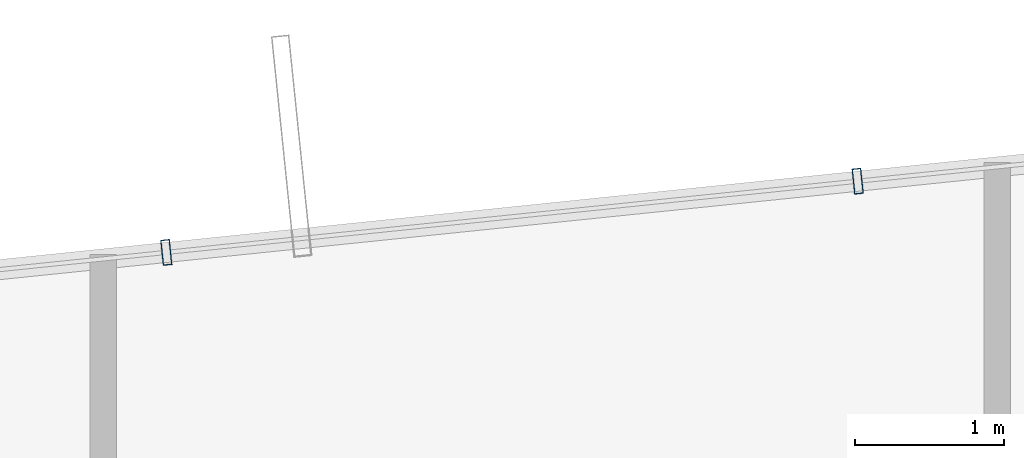
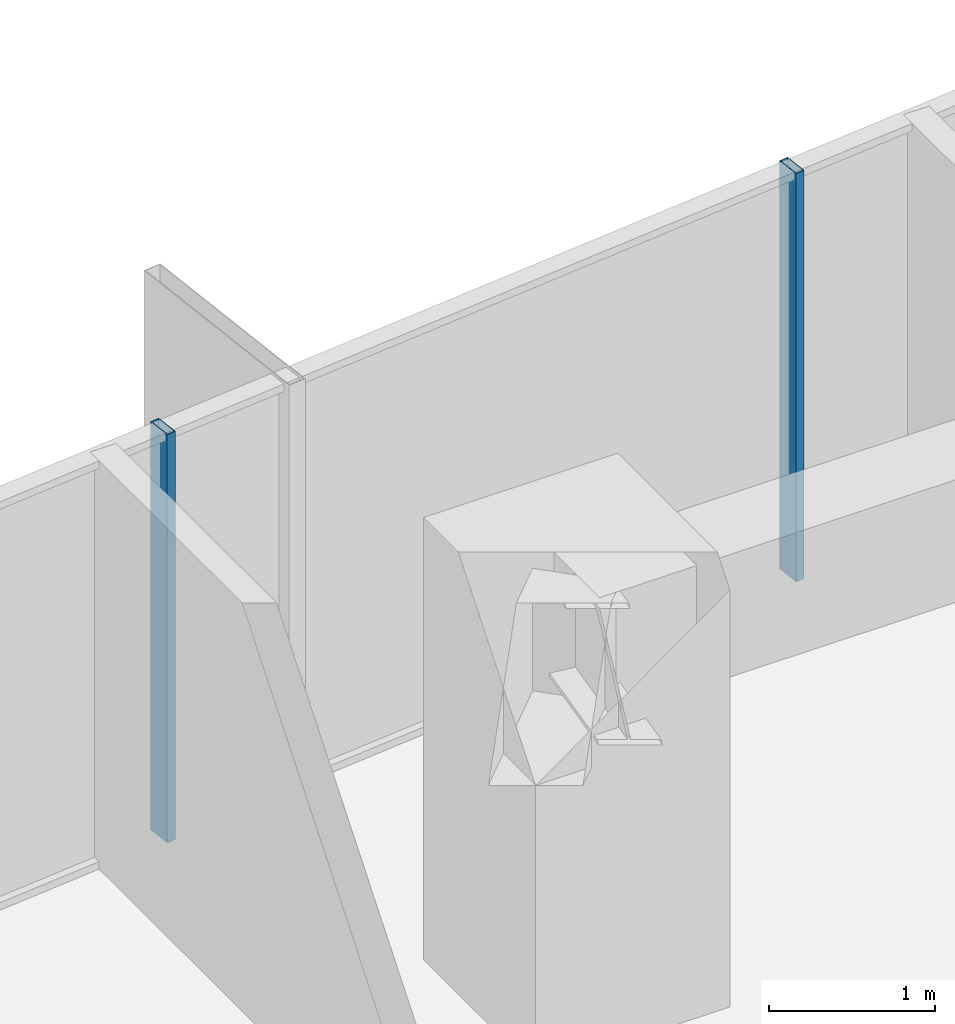
# One storey, part 25 of 37: 2 members, 1 element without a shape of its own.
"""IFC4 building model written with IfcOpenShell, lengths in metres."""

from ifc_helpers import new_model, si_unit, direction, frame, origin, origin_2d, place, context, subcontext, project, spatial, hollow_rectangle, extrude, source, transform, mapped, material, layer, layer_set, material_profile, profile_set, type_object, element, aggregate, save


model = new_model("IFC4")

# Units and contexts
model_context = context("Model", 3, precision=1e-05, world=origin(), true_north=direction((0.0, 1.0)))
body_context = subcontext(model_context, "Body", "Model", "MODEL_VIEW")
ifc_project = project(units=[si_unit("LENGTHUNIT", "METRE"), si_unit("AREAUNIT", "SQUARE_METRE"), si_unit("VOLUMEUNIT", "CUBIC_METRE"), si_unit("PLANEANGLEUNIT", "RADIAN"), si_unit("MASSUNIT", "GRAM", prefix="KILO")], contexts=[model_context])

# Site, building, storey
site_placement = place(None, origin())
site = spatial("IfcSite", under=ifc_project, at=site_placement, CompositionType="ELEMENT")
building_placement = place(site_placement, origin())
building = spatial("IfcBuilding", under=site, at=building_placement, Name="Veraguas Prism Commons", CompositionType="ELEMENT")
storey_placement = place(building_placement, frame((0.0, 0.0, 43.550048828125)))
storey = spatial("IfcBuildingStorey", under=building, at=storey_placement, Name="L11", CompositionType="ELEMENT", Elevation=43.550048828125)

# Curtain wall, members
ifc_material = material(Name="Anodised aluminium EN AW-6063 T6", Category="aluminium")
ifc_layer = layer(ifc_material, 0.169921875, Name="Unitised Flush Curtain Wall Zone 1", Category="aluminium")
ifc_layer_set = layer_set([ifc_layer], Name="Anodised aluminium EN AW-6063 T6")
curtain_wall_type = type_object("IfcCurtainWallType", Name="Unitised Flush Curtain Wall Zone 1", PredefinedType="NOTDEFINED", material=ifc_layer_set)
curtain_wall_placement = place(storey_placement, origin())
curtain_wall = element("IfcCurtainWall", 1, at=curtain_wall_placement, inside=storey, type_object=curtain_wall_type, Name="Tower Facade Curtain Wall L11-F2", PredefinedType="NOTDEFINED")
ifc_material_profile = material_profile(ifc_material, hollow_rectangle(XDim=0.06005859375, YDim=0.169921875, WallThickness=0.00390625, at=origin_2d()), Name="AL60X170X4")
ifc_profile_set = profile_set([ifc_material_profile], Name="Anodised aluminium EN AW-6063 T6")
member_type = type_object("IfcMemberType", Name="Curtain Wall Mullion Lower AL 60x170x4", PredefinedType="MULLION", material=ifc_profile_set)
shared_shape = source(origin(), body_context, "Body", "SweptSolid", [
    extrude(hollow_rectangle(XDim=0.06005859375, YDim=0.169921875, WallThickness=0.00390625, at=origin_2d()), origin(), (0.0, 0.0, 1.0), 3.0),
])
member_1_placement = place(storey_placement, frame((21.870849609375, 44.67529296875, 0.0), z_axis=(0.0, 0.0, 1.0), x_axis=(-0.994738459078, -0.102447049893, 0.0)))
member_1 = element("IfcMember", 2, at=member_1_placement, type_object=member_type, Name="CW-Z1 Mullion 3", PredefinedType="MULLION", context=body_context, shape_type="MappedRepresentation", body=[
    mapped(shared_shape, transform((0.0, 0.0, 0.0), scale=1.0)),
])
member_2_placement = place(storey_placement, frame((17.224365234375, 44.19677734375, 0.0), z_axis=(0.0, 0.0, 1.0), x_axis=(-0.994738459078, -0.102447049893, 0.0)))
member_2 = element("IfcMember", 3, at=member_2_placement, type_object=member_type, Name="CW-Z1 Mullion 4", PredefinedType="MULLION", context=body_context, shape_type="MappedRepresentation", body=[
    mapped(shared_shape, transform((0.0, 0.0, 0.0), scale=1.0)),
])
aggregate(curtain_wall, [member_1, member_2])

save(model, "model.ifc")
